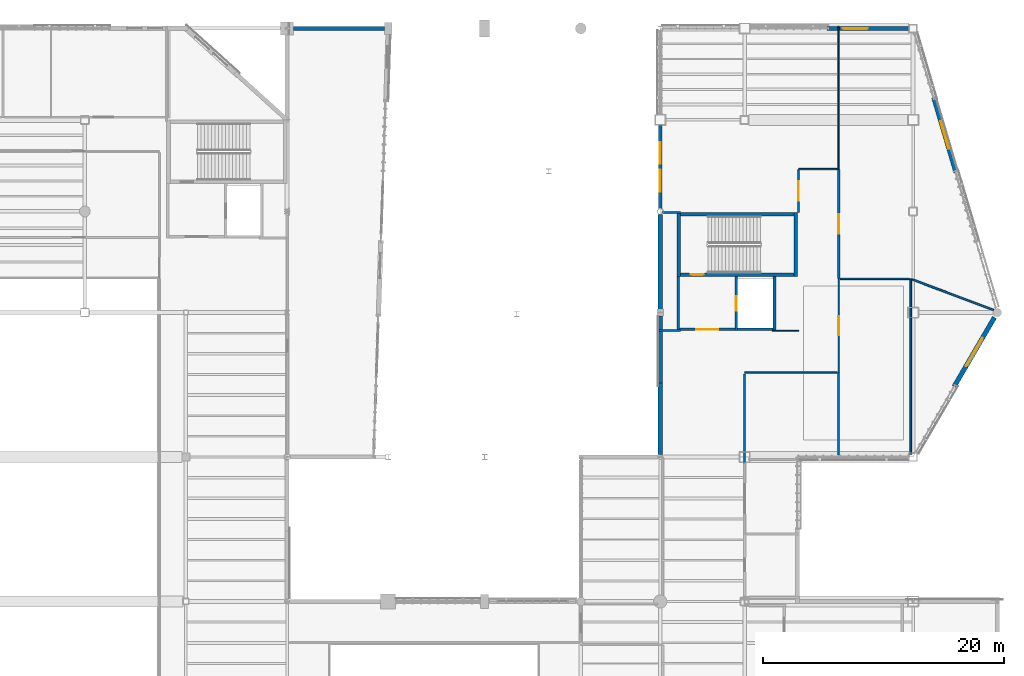
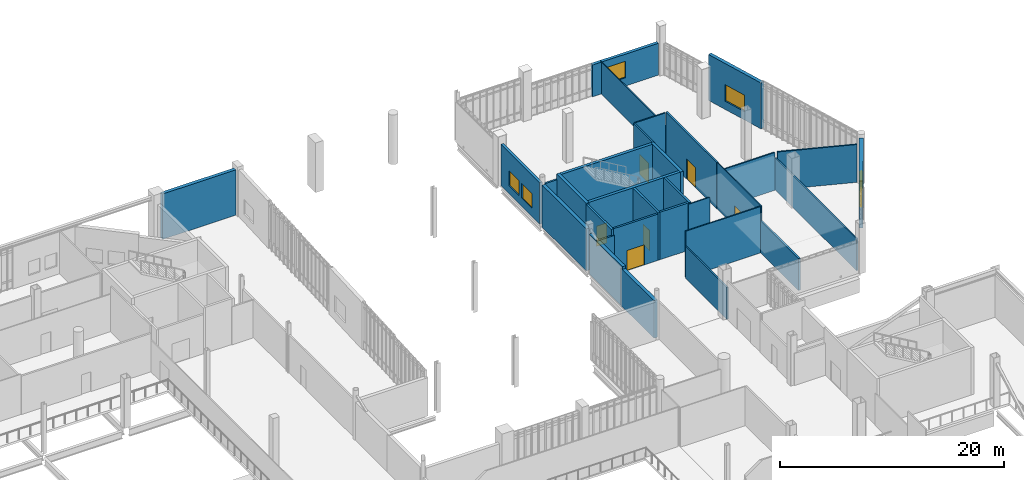
# One storey, part 111 of 127: 31 walls, 6 doors, 5 windows, 11 openings.
"""IFC4 building model written with IfcOpenShell, lengths in metres."""

from ifc_helpers import new_model, si_unit, direction, frame, frame_2d, origin, place, context, subcontext, project, spatial, rectangle, extrude, material, layer, layer_set, type_object, element, fill, save


model = new_model("IFC4")

# Units and contexts
model_context = context("Model", 3, precision=1e-05, world=origin(), true_north=direction((0.0, 1.0)))
body_context = subcontext(model_context, "Body", "Model", "MODEL_VIEW")
ifc_project = project(units=[si_unit("LENGTHUNIT", "METRE"), si_unit("AREAUNIT", "SQUARE_METRE"), si_unit("VOLUMEUNIT", "CUBIC_METRE"), si_unit("PLANEANGLEUNIT", "RADIAN"), si_unit("MASSUNIT", "GRAM", prefix="KILO")], contexts=[model_context])

# Site, building, storey
site_placement = place(None, origin())
site = spatial("IfcSite", under=ifc_project, at=site_placement, CompositionType="ELEMENT")
building_placement = place(site_placement, origin())
building = spatial("IfcBuilding", under=site, at=building_placement, Name="Larkvane Passage Sports Hall", CompositionType="ELEMENT")
storey_placement = place(building_placement, frame((0.0, 0.0, 5.39990234375)))
storey = spatial("IfcBuildingStorey", under=building, at=storey_placement, Name="L01", CompositionType="ELEMENT", Elevation=5.39990234375)

# Walls
ifc_material_1 = material(Name="Concrete C50/60", Category="concrete")
ifc_layer_1 = layer(ifc_material_1, 0.360107421875)
ifc_layer_set_1 = layer_set([ifc_layer_1], Name="Concrete C50/60")
wall_type_1 = type_object("IfcWallType", Name="WL-CORE-360", PredefinedType="SHEAR", material=ifc_layer_set_1)
for number, where, z_axis, x_axis, name in (
    (1, (126.14990234375, 78.60009765625, 0.0), (0.0, 0.0, 1.0), (0.0, 1.0, 0.0), "Core shear wall WAL-CORE-C6-L01-W"),
    (2, (135.85009765625, 83.89990234375, 0.0), (0.0, 0.0, 1.0), (0.0, -1.0, 0.0), "Core shear wall WAL-CORE-C6-L01-E"),
):
    element("IfcWall", number, at=place(storey_placement, frame(where, z_axis=z_axis, x_axis=x_axis)), inside=storey, type_object=wall_type_1, Name=name, PredefinedType="SHEAR", context=body_context, shape_type="SweptSolid", body=[
        extrude(rectangle(XDim=5.2998046875, YDim=0.300048828125, at=frame_2d((2.64990234375, 0.0))), origin(), (0.0, 0.0, 1.0), 5.170166015625),
    ])

# Wall, opening, door
wall_1_placement = place(storey_placement, frame((135.699951171875, 78.75, 0.0), z_axis=(0.0, 0.0, 1.0), x_axis=(-1.0, 0.0, 0.0)))
wall_1 = element("IfcWall", 3, at=wall_1_placement, inside=storey, type_object=wall_type_1, Name="Core shear wall WAL-CORE-C6-L01-S", PredefinedType="SHEAR", context=body_context, shape_type="SweptSolid", body=[
    extrude(rectangle(XDim=9.39990234375, YDim=0.300048828125, at=frame_2d((4.699951171875, 0.0))), origin(), (0.0, 0.0, 1.0), 5.170166015625),
])
opening_1_placement = place(wall_1_placement, frame((7.5, 0.0, 0.0)))
opening_1 = element("IfcOpeningElement", 4, at=opening_1_placement, cuts=wall_1, Name="Opening DF-01", PredefinedType="OPENING", context=body_context, shape_type="SweptSolid", body=[
    extrude(rectangle(XDim=1.050048828125, YDim=2.199951171875, at=frame_2d((0.52490234375, 1.10009765625))), frame((0.0, 0.159912109375, 0.0), z_axis=(0.0, -1.0, 0.0), x_axis=(1.0, 0.0, 0.0)), (0.0, 0.0, 1.0), 0.320068359375),
])
ifc_material_2 = material(Name="Steel S355JR smoke-sealed fire door", Category="steel")
door_type_1 = type_object("IfcDoorType", Name="DR-FIRE-1050", OperationType="NOTDEFINED", PredefinedType="DOOR", material=ifc_material_2)
door_1_placement = place(opening_1_placement, origin())
door_1 = element("IfcDoor", 5, at=door_1_placement, inside=storey, type_object=door_type_1, Name="Stair ST-06 L01 fire door", OperationType="SINGLE_SWING_RIGHT", OverallHeight=2.199951171875, OverallWidth=1.050048828125, PredefinedType="DOOR", context=body_context, shape_type="SweptSolid", body=[
    extrude(rectangle(XDim=1.050048828125, YDim=2.199951171875, at=frame_2d((0.52490234375, 1.10009765625))), frame((0.0, 0.02490234375, 0.0), z_axis=(0.0, -1.0, 0.0), x_axis=(1.0, 0.0, 0.0)), (0.0, 0.0, 1.0), 0.050048828125),
])
fill(opening_1, door_1)

# Wall
wall_2_placement = place(storey_placement, frame((126.300048828125, 83.75, 0.0), z_axis=(0.0, 0.0, 1.0), x_axis=(1.0, 0.0, 0.0)))
element("IfcWall", 6, at=wall_2_placement, inside=storey, type_object=wall_type_1, Name="Core shear wall WAL-CORE-C6-L01-N", PredefinedType="SHEAR", context=body_context, shape_type="SweptSolid", body=[
    extrude(rectangle(XDim=9.39990234375, YDim=0.300048828125, at=frame_2d((4.699951171875, 0.0))), origin(), (0.0, 0.0, 1.0), 5.170166015625),
])

# Wall, openings, windows
ifc_material_3 = material(Name="Concrete C40/50", Category="concrete")
ifc_layer_2 = layer(ifc_material_3, 0.27490234375)
ifc_layer_set_2 = layer_set([ifc_layer_2], Name="Concrete C40/50")
wall_type_2 = type_object("IfcWallType", Name="WL-EXT-275", PredefinedType="SOLIDWALL", material=ifc_layer_set_2)
wall_3_placement = place(storey_placement, frame((124.60009765625, 84.25, 0.0), z_axis=(0.0, 0.0, 1.0), x_axis=(0.0, 1.0, 0.0)))
wall_3 = element("IfcWall", 7, at=wall_3_placement, inside=storey, type_object=wall_type_2, Name="Exterior wall WAL-EXT-L01-090", PredefinedType="SOLIDWALL", context=body_context, shape_type="SweptSolid", body=[
    extrude(rectangle(XDim=6.904052734375, YDim=0.27490234375, at=frame_2d((3.4521484375, 0.0))), origin(), (0.0, 0.0, 1.0), 4.528076171875),
])
opening_2_placement = place(wall_3_placement, frame((1.40087890625, 0.0, 0.89990234375)))
opening_2 = element("IfcOpeningElement", 8, at=opening_2_placement, cuts=wall_3, Name="Opening W-02", PredefinedType="OPENING", context=body_context, shape_type="SweptSolid", body=[
    extrude(rectangle(XDim=1.800048828125, YDim=1.60009765625, at=frame_2d((0.89990234375, 0.800048828125))), frame((0.0, 0.1474609375, 0.0), z_axis=(0.0, -1.0, 0.0), x_axis=(1.0, 0.0, 0.0)), (0.0, 0.0, 1.0), 0.294921875),
])
opening_3_placement = place(wall_3_placement, frame((3.702880859375, 0.0, 0.89990234375)))
opening_3 = element("IfcOpeningElement", 9, at=opening_3_placement, cuts=wall_3, Name="Opening W-02", PredefinedType="OPENING", context=body_context, shape_type="SweptSolid", body=[
    extrude(rectangle(XDim=1.800048828125, YDim=1.60009765625, at=frame_2d((0.89990234375, 0.800048828125))), frame((0.0, 0.1474609375, 0.0), z_axis=(0.0, -1.0, 0.0), x_axis=(1.0, 0.0, 0.0)), (0.0, 0.0, 1.0), 0.294921875),
])
ifc_material_4 = material(Name="Thermally broken aluminium and laminated low-E glass", Category="aluminium")
window_type_1 = type_object("IfcWindowType", Name="WN-FIX-1800x1600", PartitioningType="SINGLE_PANEL", PredefinedType="WINDOW", material=ifc_material_4)
window_1_placement = place(opening_2_placement, origin())
window_1 = element("IfcWindow", 10, at=window_1_placement, inside=storey, type_object=window_type_1, Name="Window L01-027", OverallHeight=1.60009765625, OverallWidth=1.800048828125, PartitioningType="SINGLE_PANEL", PredefinedType="WINDOW", context=body_context, shape_type="SweptSolid", body=[
    extrude(rectangle(XDim=1.800048828125, YDim=1.60009765625, at=frame_2d((0.89990234375, 0.800048828125))), frame((0.0, 0.030029296875, 0.0), z_axis=(0.0, -1.0, 0.0), x_axis=(1.0, 0.0, 0.0)), (0.0, 0.0, 1.0), 0.06005859375),
])
fill(opening_2, window_1)
window_2_placement = place(opening_3_placement, origin())
window_2 = element("IfcWindow", 11, at=window_2_placement, inside=storey, type_object=window_type_1, Name="Window L01-028", OverallHeight=1.60009765625, OverallWidth=1.800048828125, PartitioningType="SINGLE_PANEL", PredefinedType="WINDOW", context=body_context, shape_type="SweptSolid", body=[
    extrude(rectangle(XDim=1.800048828125, YDim=1.60009765625, at=frame_2d((0.89990234375, 0.800048828125))), frame((0.0, 0.030029296875, 0.0), z_axis=(0.0, -1.0, 0.0), x_axis=(1.0, 0.0, 0.0)), (0.0, 0.0, 1.0), 0.06005859375),
])
fill(opening_3, window_2)

# Wall, opening, window
ifc_material_5 = material(Name="Precast concrete C45/55", Category="concrete")
ifc_layer_3 = layer(ifc_material_5, 0.31005859375)
ifc_layer_set_3 = layer_set([ifc_layer_3], Name="Precast concrete C45/55")
wall_type_3 = type_object("IfcWallType", Name="WL-EXT-310", PredefinedType="SOLIDWALL", material=ifc_layer_set_3)
wall_4_placement = place(storey_placement, frame((138.451171875, 99.199951171875, 0.0), z_axis=(0.0, 0.0, 1.0), x_axis=(1.0, 0.0, 0.0)))
wall_4 = element("IfcWall", 12, at=wall_4_placement, inside=storey, type_object=wall_type_3, Name="Exterior wall WAL-EXT-L01-091", PredefinedType="SOLIDWALL", context=body_context, shape_type="SweptSolid", body=[
    extrude(rectangle(XDim=6.802734375, YDim=0.31005859375, at=frame_2d((3.4013671875, 0.0))), origin(), (0.0, 0.0, 1.0), 3.468017578125),
])
opening_4_placement = place(wall_4_placement, frame((1.299072265625, 0.0, 0.89990234375)))
opening_4 = element("IfcOpeningElement", 13, at=opening_4_placement, cuts=wall_4, Name="Opening W-03", PredefinedType="OPENING", context=body_context, shape_type="SweptSolid", body=[
    extrude(rectangle(XDim=2.10009765625, YDim=1.800048828125, at=frame_2d((1.050048828125, 0.89990234375))), frame((0.0, 0.1650390625, 0.0), z_axis=(0.0, -1.0, 0.0), x_axis=(1.0, 0.0, 0.0)), (0.0, 0.0, 1.0), 0.330078125),
])
window_type_2 = type_object("IfcWindowType", Name="WN-FIX-2100x1800", PartitioningType="DOUBLE_PANEL_VERTICAL", PredefinedType="WINDOW", material=ifc_material_4)
window_3_placement = place(opening_4_placement, origin())
window_3 = element("IfcWindow", 14, at=window_3_placement, inside=storey, type_object=window_type_2, Name="Window L01-029", OverallHeight=1.800048828125, OverallWidth=2.10009765625, PartitioningType="DOUBLE_PANEL_VERTICAL", PredefinedType="WINDOW", context=body_context, shape_type="SweptSolid", body=[
    extrude(rectangle(XDim=2.10009765625, YDim=1.800048828125, at=frame_2d((1.050048828125, 0.89990234375))), frame((0.0, 0.030029296875, 0.0), z_axis=(0.0, -1.0, 0.0), x_axis=(1.0, 0.0, 0.0)), (0.0, 0.0, 1.0), 0.06005859375),
])
fill(opening_4, window_3)

# Walls
ifc_layer_4 = layer(ifc_material_5, 0.344970703125)
ifc_layer_set_4 = layer_set([ifc_layer_4], Name="Precast concrete C45/55")
wall_type_4 = type_object("IfcWallType", Name="WL-EXT-345", PredefinedType="SOLIDWALL", material=ifc_layer_set_4)
wall_5_placement = place(storey_placement, frame((94.14599609375, 99.199951171875, 0.0), z_axis=(0.0, 0.0, 1.0), x_axis=(1.0, 0.0, 0.0)))
element("IfcWall", 15, at=wall_5_placement, inside=storey, type_object=wall_type_4, Name="Exterior wall WAL-EXT-L01-079", PredefinedType="SOLIDWALL", context=body_context, shape_type="SweptSolid", body=[
    extrude(rectangle(XDim=7.55810546875, YDim=0.344970703125, at=frame_2d((3.779052734375, 0.0))), origin(), (0.0, 0.0, 1.0), 4.93798828125),
])
wall_6_placement = place(storey_placement, frame((124.60009765625, 63.79931640625, 0.0), z_axis=(0.0, 0.0, 1.0), x_axis=(0.0, 1.0, 0.0)))
element("IfcWall", 16, at=wall_6_placement, inside=storey, type_object=wall_type_4, Name="Exterior wall WAL-EXT-L01-087", PredefinedType="SOLIDWALL", context=body_context, shape_type="SweptSolid", body=[
    extrude(rectangle(XDim=5.96630859375, YDim=0.344970703125, at=frame_2d((2.983154296875, 0.0))), origin(), (0.0, 0.0, 1.0), 4.078125),
])
wall_7_placement = place(storey_placement, frame((124.60009765625, 69.434326171875, 0.0), z_axis=(0.0, 0.0, 1.0), x_axis=(0.0, 1.0, 0.0)))
element("IfcWall", 17, at=wall_7_placement, inside=storey, type_object=wall_type_4, Name="Exterior wall WAL-EXT-L01-088", PredefinedType="SOLIDWALL", context=body_context, shape_type="SweptSolid", body=[
    extrude(rectangle(XDim=5.894775390625, YDim=0.344970703125, at=frame_2d((2.947265625, 0.0))), origin(), (0.0, 0.0, 1.0), 4.3681640625),
])
wall_8_placement = place(storey_placement, frame((124.60009765625, 75.87109375, 0.0), z_axis=(0.0, 0.0, 1.0), x_axis=(0.0, 1.0, 0.0)))
element("IfcWall", 18, at=wall_8_placement, inside=storey, type_object=wall_type_4, Name="Exterior wall WAL-EXT-L01-089", PredefinedType="SOLIDWALL", context=body_context, shape_type="SweptSolid", body=[
    extrude(rectangle(XDim=7.87890625, YDim=0.344970703125, at=frame_2d((3.939453125, 0.0))), origin(), (0.0, 0.0, 1.0), 4.578125),
])

# Wall, opening, window
wall_9_placement = place(storey_placement, frame((147.302978515625, 93.458740234375, 0.0), z_axis=(0.0, 0.0, 1.0), x_axis=(0.284372864648, -0.958713760125, 0.0)))
wall_9 = element("IfcWall", 19, at=wall_9_placement, inside=storey, type_object=wall_type_4, Name="Exterior wall WAL-EXT-L01-092", PredefinedType="SOLIDWALL", context=body_context, shape_type="SweptSolid", body=[
    extrude(rectangle(XDim=6.4853515625, YDim=0.344970703125, at=frame_2d((3.24267578125, 0.0))), origin(), (0.0, 0.0, 1.0), 5.0),
])
opening_5_placement = place(wall_9_placement, frame((2.04296875, 0.0, 0.89990234375)))
opening_5 = element("IfcOpeningElement", 20, at=opening_5_placement, cuts=wall_9, Name="Opening W-04", PredefinedType="OPENING", context=body_context, shape_type="SweptSolid", body=[
    extrude(rectangle(XDim=2.39990234375, YDim=1.800048828125, at=frame_2d((1.199951171875, 0.89990234375))), frame((0.0, 0.182373046875, 0.0), z_axis=(0.0, -1.0, 0.0), x_axis=(1.0, 0.0, 0.0)), (0.0, 0.0, 1.0), 0.364990234375),
])
window_type_3 = type_object("IfcWindowType", Name="WN-FIX-2400x1800", PartitioningType="DOUBLE_PANEL_VERTICAL", PredefinedType="WINDOW", material=ifc_material_4)
window_4_placement = place(opening_5_placement, origin())
window_4 = element("IfcWindow", 21, at=window_4_placement, inside=storey, type_object=window_type_3, Name="Window L01-030", OverallHeight=1.800048828125, OverallWidth=2.39990234375, PartitioningType="DOUBLE_PANEL_VERTICAL", PredefinedType="WINDOW", context=body_context, shape_type="SweptSolid", body=[
    extrude(rectangle(XDim=2.39990234375, YDim=1.800048828125, at=frame_2d((1.199951171875, 0.89990234375))), frame((0.0, 0.030029296875, 0.0), z_axis=(0.0, -1.0, 0.0), x_axis=(1.0, 0.0, 0.0)), (0.0, 0.0, 1.0), 0.06005859375),
])
fill(opening_5, window_4)

ifc_layer_5 = layer(ifc_material_3, 0.385009765625)
ifc_layer_set_5 = layer_set([ifc_layer_5], Name="Concrete C40/50")
wall_type_5 = type_object("IfcWallType", Name="WL-EXT-385", PredefinedType="SOLIDWALL", material=ifc_layer_set_5)
wall_10_placement = place(storey_placement, frame((152.36083984375, 75.18994140625, 0.0), z_axis=(0.0, 0.0, 1.0), x_axis=(-0.503884708509, -0.863770919012, 0.0)))
wall_10 = element("IfcWall", 22, at=wall_10_placement, inside=storey, type_object=wall_type_5, Name="Exterior wall WAL-EXT-L01-093", PredefinedType="SOLIDWALL", context=body_context, shape_type="SweptSolid", body=[
    extrude(rectangle(XDim=6.65625, YDim=0.385009765625, at=frame_2d((3.328125, 0.0))), origin(), (0.0, 0.0, 1.0), 5.10009765625),
])
opening_6_placement = place(wall_10_placement, frame((1.97802734375, 0.0, 0.89990234375)))
opening_6 = element("IfcOpeningElement", 23, at=opening_6_placement, cuts=wall_10, Name="Opening W-05", PredefinedType="OPENING", context=body_context, shape_type="SweptSolid", body=[
    extrude(rectangle(XDim=2.699951171875, YDim=2.0, at=frame_2d((1.35009765625, 1.0))), frame((0.0, 0.202392578125, 0.0), z_axis=(0.0, -1.0, 0.0), x_axis=(1.0, 0.0, 0.0)), (0.0, 0.0, 1.0), 0.405029296875),
])
window_type_4 = type_object("IfcWindowType", Name="WN-FIX-2700x2000", PartitioningType="TRIPLE_PANEL_VERTICAL", PredefinedType="WINDOW", material=ifc_material_4)
window_5_placement = place(opening_6_placement, origin())
window_5 = element("IfcWindow", 24, at=window_5_placement, inside=storey, type_object=window_type_4, Name="Window L01-031", OverallHeight=2.0, OverallWidth=2.699951171875, PartitioningType="TRIPLE_PANEL_VERTICAL", PredefinedType="WINDOW", context=body_context, shape_type="SweptSolid", body=[
    extrude(rectangle(XDim=2.699951171875, YDim=2.0, at=frame_2d((1.35009765625, 1.0))), frame((0.0, 0.030029296875, 0.0), z_axis=(0.0, -1.0, 0.0), x_axis=(1.0, 0.0, 0.0)), (0.0, 0.0, 1.0), 0.06005859375),
])
fill(opening_6, window_5)

# Wall, opening, door
ifc_layer_6 = layer(ifc_material_3, 0.199951171875)
ifc_layer_set_6 = layer_set([ifc_layer_6], Name="Concrete C40/50")
wall_type_6 = type_object("IfcWallType", Name="WL-LOBBY-200", PredefinedType="SOLIDWALL", material=ifc_layer_set_6)
wall_11_placement = place(storey_placement, frame((126.199951171875, 74.199951171875, 0.0), z_axis=(0.0, 0.0, 1.0), x_axis=(1.0, 0.0, 0.0)))
wall_11 = element("IfcWall", 25, at=wall_11_placement, inside=storey, type_object=wall_type_6, Name="Protected stair lobby wall C6 L01", PredefinedType="SOLIDWALL", context=body_context, shape_type="SweptSolid", body=[
    extrude(rectangle(XDim=4.60009765625, YDim=0.199951171875, at=frame_2d((2.300048828125, 0.0))), origin(), (0.0, 0.0, 1.0), 5.050048828125),
])
opening_7_placement = place(wall_11_placement, frame((1.39990234375, 0.0, 0.0)))
opening_7 = element("IfcOpeningElement", 26, at=opening_7_placement, cuts=wall_11, Name="Opening DF-02", PredefinedType="OPENING", context=body_context, shape_type="SweptSolid", body=[
    extrude(rectangle(XDim=1.800048828125, YDim=2.199951171875, at=frame_2d((0.89990234375, 1.10009765625))), frame((0.0, 0.10986328125, 0.0), z_axis=(0.0, -1.0, 0.0), x_axis=(1.0, 0.0, 0.0)), (0.0, 0.0, 1.0), 0.219970703125),
])
ifc_material_6 = material(Name="Steel S355JR double smoke-sealed fire door", Category="steel")
door_type_2 = type_object("IfcDoorType", Name="DR-FIRE-1800", OperationType="DOUBLE_DOOR_SINGLE_SWING", PredefinedType="DOOR", material=ifc_material_6)
door_2_placement = place(opening_7_placement, origin())
door_2 = element("IfcDoor", 27, at=door_2_placement, inside=storey, type_object=door_type_2, Name="Lobby smoke door C6 L01", OperationType="DOUBLE_DOOR_SINGLE_SWING", OverallHeight=2.199951171875, OverallWidth=1.800048828125, PredefinedType="DOOR", context=body_context, shape_type="SweptSolid", body=[
    extrude(rectangle(XDim=1.800048828125, YDim=2.199951171875, at=frame_2d((0.89990234375, 1.10009765625))), frame((0.0, 0.02490234375, 0.0), z_axis=(0.0, -1.0, 0.0), x_axis=(1.0, 0.0, 0.0)), (0.0, 0.0, 1.0), 0.050048828125),
])
fill(opening_7, door_2)

# Wall
wall_12_placement = place(storey_placement, frame((126.10009765625, 74.10009765625, 0.0), z_axis=(0.0, 0.0, 1.0), x_axis=(0.0, 1.0, 0.0)))
element("IfcWall", 28, at=wall_12_placement, inside=storey, type_object=wall_type_6, Name="Lobby side wall C6 L01", PredefinedType="SOLIDWALL", context=body_context, shape_type="SweptSolid", body=[
    extrude(rectangle(XDim=4.5, YDim=0.199951171875, at=frame_2d((2.25, 0.0))), origin(), (0.0, 0.0, 1.0), 5.050048828125),
])

# Wall, opening, door
ifc_material_7 = material(Name="Gypsum twin-stud acoustic partition")
ifc_layer_7 = layer(ifc_material_7, 0.10009765625)
ifc_layer_set_7 = layer_set([ifc_layer_7], Name="Gypsum twin-stud acoustic partition")
wall_type_7 = type_object("IfcWallType", Name="WL-PART-100", PredefinedType="PARTITIONING", material=ifc_layer_set_7)
wall_13_placement = place(storey_placement, frame((139.419921875, 70.60009765625, 0.0), z_axis=(0.0, 0.0, 1.0), x_axis=(0.0, 1.0, 0.0)))
wall_13 = element("IfcWall", 29, at=wall_13_placement, inside=storey, type_object=wall_type_7, Name="Interior partition WAL-PART-L01-0147", PredefinedType="PARTITIONING", context=body_context, shape_type="SweptSolid", body=[
    extrude(rectangle(XDim=7.7998046875, YDim=0.10009765625, at=frame_2d((3.89990234375, 0.0))), origin(), (0.0, 0.0, 1.0), 5.050048828125),
])
opening_8_placement = place(wall_13_placement, frame((3.10009765625, 0.0, 0.0)))
opening_8 = element("IfcOpeningElement", 30, at=opening_8_placement, cuts=wall_13, Name="Opening DI-03", PredefinedType="OPENING", context=body_context, shape_type="SweptSolid", body=[
    extrude(rectangle(XDim=1.60009765625, YDim=2.199951171875, at=frame_2d((0.800048828125, 1.10009765625))), frame((0.0, 0.06005859375, 0.0), z_axis=(0.0, -1.0, 0.0), x_axis=(1.0, 0.0, 0.0)), (0.0, 0.0, 1.0), 0.1201171875),
])
ifc_material_8 = material(Name="Glazed aluminium studio double door", Category="aluminium")
door_type_3 = type_object("IfcDoorType", Name="DR-INT-1600", OperationType="DOUBLE_DOOR_SINGLE_SWING", PredefinedType="DOOR", material=ifc_material_8)
door_3_placement = place(opening_8_placement, origin())
door_3 = element("IfcDoor", 31, at=door_3_placement, inside=storey, type_object=door_type_3, Name="Interior door L01-0057", OperationType="DOUBLE_DOOR_SINGLE_SWING", OverallHeight=2.199951171875, OverallWidth=1.60009765625, PredefinedType="DOOR", context=body_context, shape_type="SweptSolid", body=[
    extrude(rectangle(XDim=1.60009765625, YDim=2.199951171875, at=frame_2d((0.800048828125, 1.10009765625))), frame((0.0, 0.02490234375, 0.0), z_axis=(0.0, -1.0, 0.0), x_axis=(1.0, 0.0, 0.0)), (0.0, 0.0, 1.0), 0.050048828125),
])
fill(opening_8, door_3)

# Walls
wall_14_placement = place(storey_placement, frame((139.39990234375, 87.52001953125, 0.0), z_axis=(0.0, 0.0, 1.0), x_axis=(0.0, 1.0, 0.0)))
element("IfcWall", 32, at=wall_14_placement, inside=storey, type_object=wall_type_7, Name="Interior partition WAL-PART-L01-0151", PredefinedType="PARTITIONING", context=body_context, shape_type="SweptSolid", body=[
    extrude(rectangle(XDim=11.848876953125, YDim=0.10009765625, at=frame_2d((5.92431640625, 0.0))), origin(), (0.0, 0.0, 1.0), 3.47021484375),
])
wall_15_placement = place(storey_placement, frame((133.89990234375, 74.10009765625, 0.0), z_axis=(0.0, 0.0, 1.0), x_axis=(1.0, 0.0, 0.0)))
element("IfcWall", 33, at=wall_15_placement, inside=storey, type_object=wall_type_7, Name="Interior partition WAL-PART-L01-0187", PredefinedType="PARTITIONING", context=body_context, shape_type="SweptSolid", body=[
    extrude(rectangle(XDim=2.2001953125, YDim=0.10009765625, at=frame_2d((1.10009765625, 0.0))), origin(), (0.0, 0.0, 1.0), 5.050048828125),
])
ifc_material_9 = material(Name="Gypsum twin-stud fire-rated partition")
ifc_layer_8 = layer(ifc_material_9, 0.125)
ifc_layer_set_8 = layer_set([ifc_layer_8], Name="Gypsum twin-stud fire-rated partition")
wall_type_8 = type_object("IfcWallType", Name="WL-PART-125", PredefinedType="PARTITIONING", material=ifc_layer_set_8)
wall_16_placement = place(storey_placement, frame((139.5400390625, 78.39990234375, 0.0), z_axis=(0.0, 0.0, 1.0), x_axis=(1.0, 0.0, 0.0)))
element("IfcWall", 34, at=wall_16_placement, inside=storey, type_object=wall_type_8, Name="Interior partition WAL-PART-L01-0148", PredefinedType="PARTITIONING", context=body_context, shape_type="SweptSolid", body=[
    extrude(rectangle(XDim=5.739990234375, YDim=0.125, at=frame_2d((2.8701171875, 0.0))), origin(), (0.0, 0.0, 1.0), 4.1201171875),
])
wall_17_placement = place(storey_placement, frame((139.280029296875, 87.52001953125, 0.0), z_axis=(0.0, 0.0, 1.0), x_axis=(-1.0, 0.0, 0.0)))
element("IfcWall", 35, at=wall_17_placement, inside=storey, type_object=wall_type_8, Name="Interior partition WAL-PART-L01-0152", PredefinedType="PARTITIONING", context=body_context, shape_type="SweptSolid", body=[
    extrude(rectangle(XDim=3.179931640625, YDim=0.125, at=frame_2d((1.58984375, 0.0))), origin(), (0.0, 0.0, 1.0), 5.0),
])
wall_18_placement = place(storey_placement, frame((139.300048828125, 70.60009765625, 0.0), z_axis=(0.0, 0.0, 1.0), x_axis=(-1.0, 0.0, 0.0)))
element("IfcWall", 36, at=wall_18_placement, inside=storey, type_object=wall_type_8, Name="Interior partition WAL-PART-L01-0188", PredefinedType="PARTITIONING", context=body_context, shape_type="SweptSolid", body=[
    extrude(rectangle(XDim=7.699951171875, YDim=0.125, at=frame_2d((3.85009765625, 0.0))), origin(), (0.0, 0.0, 1.0), 5.050048828125),
])
ifc_material_10 = material(Name="Gypsum acoustic partition")
ifc_layer_9 = layer(ifc_material_10, 0.14990234375)
ifc_layer_set_9 = layer_set([ifc_layer_9], Name="Gypsum acoustic partition")
wall_type_9 = type_object("IfcWallType", Name="WL-PART-150", PredefinedType="PARTITIONING", material=ifc_layer_set_9)
wall_19_placement = place(storey_placement, frame((145.39990234375, 78.39990234375, 0.0), z_axis=(0.0, 0.0, 1.0), x_axis=(0.0, -1.0, 0.0)))
element("IfcWall", 37, at=wall_19_placement, inside=storey, type_object=wall_type_9, Name="Interior partition WAL-PART-L01-0145", PredefinedType="PARTITIONING", context=body_context, shape_type="SweptSolid", body=[
    extrude(rectangle(XDim=14.56787109375, YDim=0.14990234375, at=frame_2d((7.283935546875, 0.0))), origin(), (0.0, 0.0, 1.0), 3.47021484375),
])
wall_20_placement = place(storey_placement, frame((152.27001953125, 75.811279296875, 0.0), z_axis=(0.0, 0.0, 1.0), x_axis=(-0.935786731468, 0.352566579825, 0.0)))
element("IfcWall", 38, at=wall_20_placement, inside=storey, type_object=wall_type_9, Name="Interior partition WAL-PART-L01-0149", PredefinedType="PARTITIONING", context=body_context, shape_type="SweptSolid", body=[
    extrude(rectangle(XDim=7.191162109375, YDim=0.14990234375, at=frame_2d((3.595703125, 0.0))), origin(), (0.0, 0.0, 1.0), 4.1201171875),
])

# Wall, opening, door
wall_21_placement = place(storey_placement, frame((136.080078125, 87.5, 0.0), z_axis=(0.0, 0.0, 1.0), x_axis=(0.0, -1.0, 0.0)))
wall_21 = element("IfcWall", 39, at=wall_21_placement, inside=storey, type_object=wall_type_9, Name="Interior partition WAL-PART-L01-0153", PredefinedType="PARTITIONING", context=body_context, shape_type="SweptSolid", body=[
    extrude(rectangle(XDim=3.60009765625, YDim=0.14990234375, at=frame_2d((1.800048828125, 0.0))), origin(), (0.0, 0.0, 1.0), 5.0),
])
opening_9_placement = place(wall_21_placement, frame((1.0, 0.0, 0.0)))
opening_9 = element("IfcOpeningElement", 40, at=opening_9_placement, cuts=wall_21, Name="Opening DI-03", PredefinedType="OPENING", context=body_context, shape_type="SweptSolid", body=[
    extrude(rectangle(XDim=1.60009765625, YDim=2.199951171875, at=frame_2d((0.800048828125, 1.10009765625))), frame((0.0, 0.0849609375, 0.0), z_axis=(0.0, -1.0, 0.0), x_axis=(1.0, 0.0, 0.0)), (0.0, 0.0, 1.0), 0.169921875),
])
door_4_placement = place(opening_9_placement, origin())
door_4 = element("IfcDoor", 41, at=door_4_placement, inside=storey, type_object=door_type_3, Name="Interior door L01-0061", OperationType="DOUBLE_DOOR_SINGLE_SWING", OverallHeight=2.199951171875, OverallWidth=1.60009765625, PredefinedType="DOOR", context=body_context, shape_type="SweptSolid", body=[
    extrude(rectangle(XDim=1.60009765625, YDim=2.199951171875, at=frame_2d((0.800048828125, 1.10009765625))), frame((0.0, 0.02490234375, 0.0), z_axis=(0.0, -1.0, 0.0), x_axis=(1.0, 0.0, 0.0)), (0.0, 0.0, 1.0), 0.050048828125),
])
fill(opening_9, door_4)

# Walls
wall_22_placement = place(storey_placement, frame((131.60009765625, 70.47998046875, 0.0), z_axis=(0.0, 0.0, 1.0), x_axis=(0.0, -1.0, 0.0)))
element("IfcWall", 42, at=wall_22_placement, inside=storey, type_object=wall_type_9, Name="Interior partition WAL-PART-L01-0189", PredefinedType="PARTITIONING", context=body_context, shape_type="SweptSolid", body=[
    extrude(rectangle(XDim=7.404052734375, YDim=0.14990234375, at=frame_2d((3.7021484375, 0.0))), origin(), (0.0, 0.0, 1.0), 3.47021484375),
])
ifc_material_11 = material(Name="Gypsum high-bay court partition")
ifc_layer_10 = layer(ifc_material_11, 0.179931640625)
ifc_layer_set_10 = layer_set([ifc_layer_10], Name="Gypsum high-bay court partition")
wall_type_10 = type_object("IfcWallType", Name="WL-PART-180", PredefinedType="PARTITIONING", material=ifc_layer_set_10)
wall_23_placement = place(storey_placement, frame((139.39990234375, 63.780029296875, 0.0), z_axis=(0.0, 0.0, 1.0), x_axis=(0.0, 1.0, 0.0)))
element("IfcWall", 43, at=wall_23_placement, inside=storey, type_object=wall_type_10, Name="Interior partition WAL-PART-L01-0146", PredefinedType="PARTITIONING", context=body_context, shape_type="SweptSolid", body=[
    extrude(rectangle(XDim=6.800048828125, YDim=0.179931640625, at=frame_2d((3.39990234375, 0.0))), origin(), (0.0, 0.0, 1.0), 3.47021484375),
])

# Wall, opening, door
wall_24_placement = place(storey_placement, frame((139.419921875, 78.419921875, 0.0), z_axis=(0.0, 0.0, 1.0), x_axis=(0.0, 1.0, 0.0)))
wall_24 = element("IfcWall", 44, at=wall_24_placement, inside=storey, type_object=wall_type_10, Name="Interior partition WAL-PART-L01-0150", PredefinedType="PARTITIONING", context=body_context, shape_type="SweptSolid", body=[
    extrude(rectangle(XDim=9.080078125, YDim=0.179931640625, at=frame_2d((4.5400390625, 0.0))), origin(), (0.0, 0.0, 1.0), 5.050048828125),
])
opening_10_placement = place(wall_24_placement, frame((3.739990234375, 0.0, 0.0)))
opening_10 = element("IfcOpeningElement", 45, at=opening_10_placement, cuts=wall_24, Name="Opening DI-03", PredefinedType="OPENING", context=body_context, shape_type="SweptSolid", body=[
    extrude(rectangle(XDim=1.60009765625, YDim=2.199951171875, at=frame_2d((0.800048828125, 1.10009765625))), frame((0.0, 0.099853515625, 0.0), z_axis=(0.0, -1.0, 0.0), x_axis=(1.0, 0.0, 0.0)), (0.0, 0.0, 1.0), 0.199951171875),
])
door_5_placement = place(opening_10_placement, origin())
door_5 = element("IfcDoor", 46, at=door_5_placement, inside=storey, type_object=door_type_3, Name="Interior door L01-0056", OperationType="DOUBLE_DOOR_SINGLE_SWING", OverallHeight=2.199951171875, OverallWidth=1.60009765625, PredefinedType="DOOR", context=body_context, shape_type="SweptSolid", body=[
    extrude(rectangle(XDim=1.60009765625, YDim=2.199951171875, at=frame_2d((0.800048828125, 1.10009765625))), frame((0.0, 0.02490234375, 0.0), z_axis=(0.0, -1.0, 0.0), x_axis=(1.0, 0.0, 0.0)), (0.0, 0.0, 1.0), 0.050048828125),
])
fill(opening_10, door_5)

# Walls
wall_25_placement = place(storey_placement, frame((126.260009765625, 83.89990234375, 0.0), z_axis=(0.0, 0.0, 1.0), x_axis=(-1.0, 0.0, 0.0)))
element("IfcWall", 47, at=wall_25_placement, inside=storey, type_object=wall_type_10, Name="Interior partition WAL-PART-L01-0154", PredefinedType="PARTITIONING", context=body_context, shape_type="SweptSolid", body=[
    extrude(rectangle(XDim=1.4970703125, YDim=0.179931640625, at=frame_2d((0.74853515625, 0.0))), origin(), (0.0, 0.0, 1.0), 4.580078125),
])
wall_26_placement = place(storey_placement, frame((124.448486328125, 74.10009765625, 0.0), z_axis=(0.0, 0.0, 1.0), x_axis=(1.0, 0.0, 0.0)))
element("IfcWall", 48, at=wall_26_placement, inside=storey, type_object=wall_type_10, Name="Interior partition WAL-PART-L01-0186", PredefinedType="PARTITIONING", context=body_context, shape_type="SweptSolid", body=[
    extrude(rectangle(XDim=1.8115234375, YDim=0.179931640625, at=frame_2d((0.90576171875, 0.0))), origin(), (0.0, 0.0, 1.0), 4.3701171875),
])

# Wall, opening, door
ifc_layer_11 = layer(ifc_material_3, 0.219970703125)
ifc_layer_set_11 = layer_set([ifc_layer_11], Name="Concrete C40/50")
wall_type_11 = type_object("IfcWallType", Name="WL-SHAFT-220", PredefinedType="SOLIDWALL", material=ifc_layer_set_11)
wall_27_placement = place(storey_placement, frame((130.909912109375, 74.10009765625, 0.0), z_axis=(0.0, 0.0, 1.0), x_axis=(0.0, 1.0, 0.0)))
wall_27 = element("IfcWall", 49, at=wall_27_placement, inside=storey, type_object=wall_type_11, Name="Lift shaft front wall L-06 L01", PredefinedType="SOLIDWALL", context=body_context, shape_type="SweptSolid", body=[
    extrude(rectangle(XDim=4.5, YDim=0.219970703125, at=frame_2d((2.25, 0.0))), origin(), (0.0, 0.0, 1.0), 5.170166015625),
])
opening_11_placement = place(wall_27_placement, frame((1.64990234375, 0.0, 0.0)))
opening_11 = element("IfcOpeningElement", 50, at=opening_11_placement, cuts=wall_27, Name="Opening LD-01", PredefinedType="OPENING", context=body_context, shape_type="SweptSolid", body=[
    extrude(rectangle(XDim=1.199951171875, YDim=2.199951171875, at=frame_2d((0.60009765625, 1.10009765625))), frame((0.0, 0.119873046875, 0.0), z_axis=(0.0, -1.0, 0.0), x_axis=(1.0, 0.0, 0.0)), (0.0, 0.0, 1.0), 0.239990234375),
])
ifc_material_12 = material(Name="Stainless steel S355JR lift landing door", Category="steel")
door_type_4 = type_object("IfcDoorType", Name="DR-LIFT-1200", OperationType="SLIDING_TO_LEFT", PredefinedType="DOOR", material=ifc_material_12)
door_6_placement = place(opening_11_placement, origin())
door_6 = element("IfcDoor", 51, at=door_6_placement, inside=storey, type_object=door_type_4, Name="Lift landing door L-06 L01", OperationType="SLIDING_TO_LEFT", OverallHeight=2.199951171875, OverallWidth=1.199951171875, PredefinedType="DOOR", context=body_context, shape_type="SweptSolid", body=[
    extrude(rectangle(XDim=1.199951171875, YDim=2.199951171875, at=frame_2d((0.60009765625, 1.10009765625))), frame((0.0, 0.02490234375, 0.0), z_axis=(0.0, -1.0, 0.0), x_axis=(1.0, 0.0, 0.0)), (0.0, 0.0, 1.0), 0.050048828125),
])
fill(opening_11, door_6)

# Walls
wall_28_placement = place(storey_placement, frame((134.090087890625, 74.10009765625, 0.0), z_axis=(0.0, 0.0, 1.0), x_axis=(0.0, 1.0, 0.0)))
element("IfcWall", 52, at=wall_28_placement, inside=storey, type_object=wall_type_11, Name="Lift shaft rear wall L-06 L01", PredefinedType="SOLIDWALL", context=body_context, shape_type="SweptSolid", body=[
    extrude(rectangle(XDim=4.5, YDim=0.219970703125, at=frame_2d((2.25, 0.0))), origin(), (0.0, 0.0, 1.0), 5.170166015625),
])
wall_29_placement = place(storey_placement, frame((131.02001953125, 74.2099609375, 0.0), z_axis=(0.0, 0.0, 1.0), x_axis=(1.0, 0.0, 0.0)))
element("IfcWall", 53, at=wall_29_placement, inside=storey, type_object=wall_type_11, Name="Lift shaft end wall L-06 L01", PredefinedType="SOLIDWALL", context=body_context, shape_type="SweptSolid", body=[
    extrude(rectangle(XDim=2.9599609375, YDim=0.219970703125, at=frame_2d((1.47998046875, 0.0))), origin(), (0.0, 0.0, 1.0), 5.170166015625),
])

save(model, "model.ifc")
